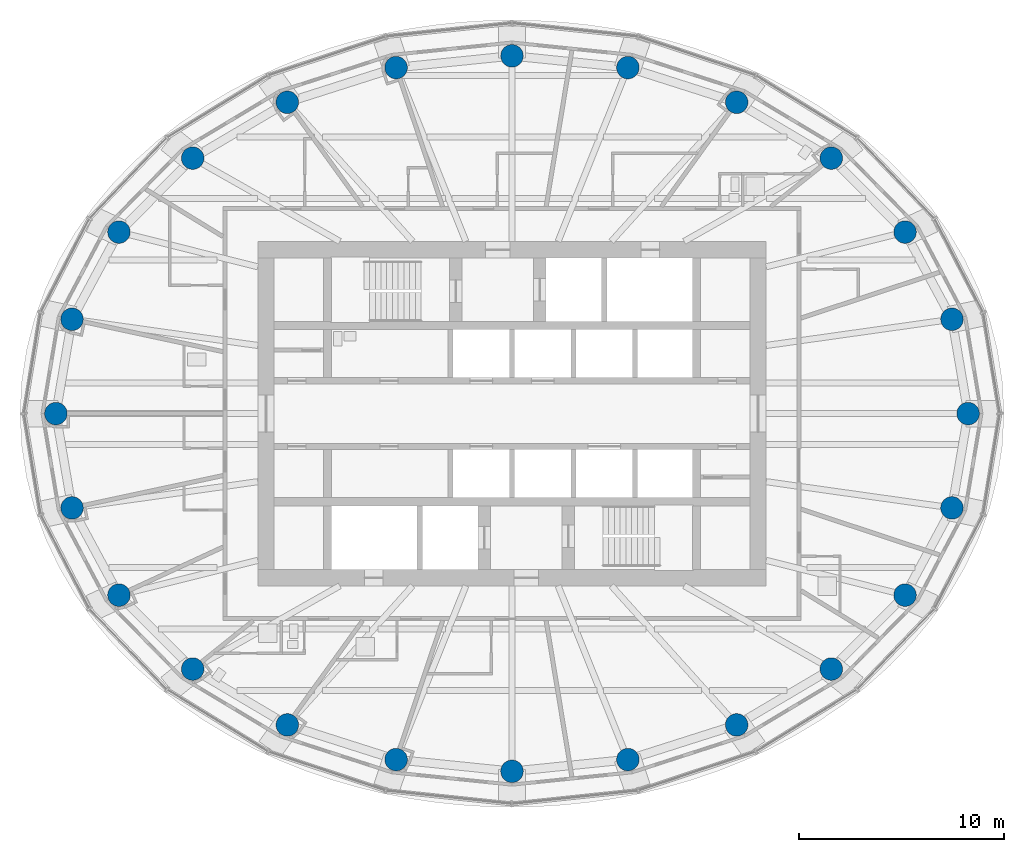
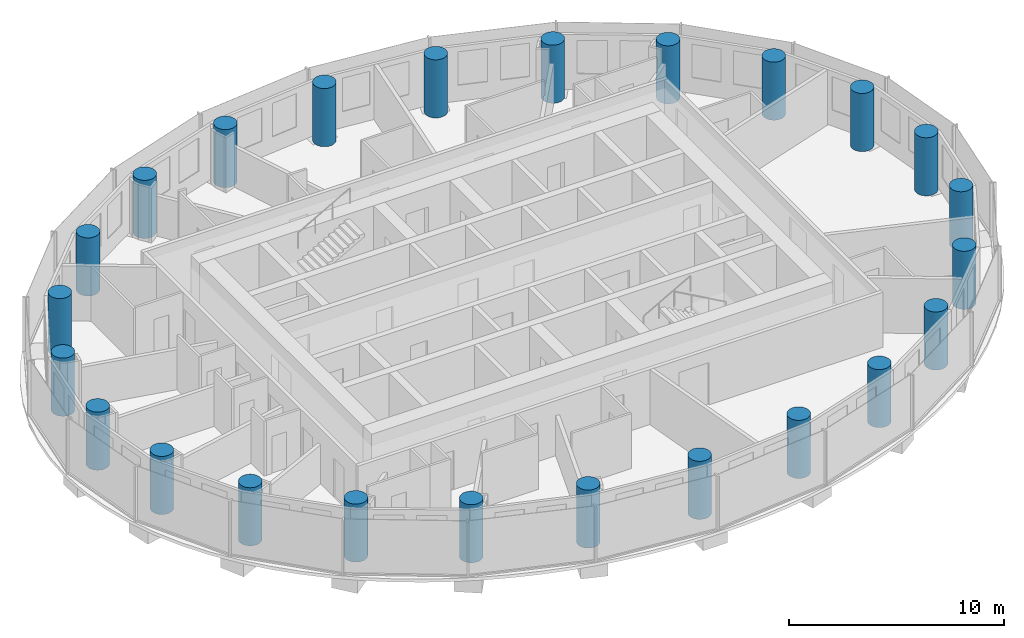
# One storey, part 1 of 16: 24 columns.
"""IFC4 building model written with IfcOpenShell, lengths in metres."""

from ifc_helpers import new_model, si_unit, direction, frame, origin, origin_2d, place, context, subcontext, project, spatial, circle, extrude, material, material_profile, profile_set, type_object, element, save


model = new_model("IFC4")

# Units and contexts
model_context = context("Model", 3, precision=1e-05, world=origin(), true_north=direction((0.0, 1.0)))
body_context = subcontext(model_context, "Body", "Model", "MODEL_VIEW")
ifc_project = project(units=[si_unit("LENGTHUNIT", "METRE"), si_unit("AREAUNIT", "SQUARE_METRE"), si_unit("VOLUMEUNIT", "CUBIC_METRE"), si_unit("PLANEANGLEUNIT", "RADIAN"), si_unit("MASSUNIT", "GRAM", prefix="KILO")], contexts=[model_context])

# Site, building, storey
site_placement = place(None, origin())
site = spatial("IfcSite", under=ifc_project, at=site_placement, CompositionType="ELEMENT")
building_placement = place(site_placement, origin())
building = spatial("IfcBuilding", under=site, at=building_placement, Name="Hankou Lantern Tower", CompositionType="ELEMENT")
storey_placement = place(building_placement, frame((0.0, 0.0, 143.39990234375)))
storey = spatial("IfcBuildingStorey", under=building, at=storey_placement, Name="L37", CompositionType="ELEMENT", Elevation=143.39990234375)

# Columns
ifc_material = material(Name="Concrete C50", Category="concrete")
ifc_material_profile = material_profile(ifc_material, circle(Radius=0.550048828125, at=origin_2d()), Name="RC D1100")
ifc_profile_set = profile_set([ifc_material_profile], Name="Concrete C50")
column_type = type_object("IfcColumnType", Name="TC4 PERIMETER COLUMN RC D1100", PredefinedType="COLUMN", material=ifc_profile_set)
for number, where, z_axis, x_axis, name in (
    (1, (22.25, 0.0, 0.0), (0.0, 0.0, 1.0), (1.0, 0.0, 0.0), "Column R01 L37"),
    (2, (21.462646484375, 4.600830078125, 0.0), (0.0, 0.0, 1.0), (1.0, 0.0, 0.0), "Column R02 L37"),
    (3, (19.172119140625, 8.855224609375, 0.0), (0.0, 0.0, 1.0), (1.0, 0.0, 0.0), "Column R03 L37"),
    (4, (15.576171875, 12.4609375, 0.0), (0.0, 0.0, 1.0), (1.0, 0.0, 0.0), "Column R04 L37"),
    (5, (10.959716796875, 15.186279296875, 0.0), (0.0, 0.0, 1.0), (1.0, 0.0, 0.0), "Column R05 L37"),
    (6, (5.65283203125, 16.87744140625, 0.0), (0.0, 0.0, 1.0), (1.0, 0.0, 0.0), "Column R06 L37"),
    (7, (0.0, 17.449951171875, 0.0), (0.0, 0.0, 1.0), (1.0, 0.0, 0.0), "Column R07 L37"),
    (8, (-5.65283203125, 16.87744140625, 0.0), (0.0, 0.0, 1.0), (1.0, 0.0, 0.0), "Column R08 L37"),
    (9, (-10.959716796875, 15.186279296875, 0.0), (0.0, 0.0, 1.0), (1.0, 0.0, 0.0), "Column R09 L37"),
    (10, (-15.576171875, 12.4609375, 0.0), (0.0, 0.0, 1.0), (1.0, 0.0, 0.0), "Column R10 L37"),
    (11, (-19.172119140625, 8.855224609375, 0.0), (0.0, 0.0, 1.0), (1.0, 0.0, 0.0), "Column R11 L37"),
    (12, (-21.462646484375, 4.600830078125, 0.0), (0.0, 0.0, 1.0), (1.0, 0.0, 0.0), "Column R12 L37"),
    (13, (-22.25, 0.0, 0.0), (0.0, 0.0, 1.0), (1.0, 0.0, 0.0), "Column R13 L37"),
    (14, (-21.462646484375, -4.600830078125, 0.0), (0.0, 0.0, 1.0), (1.0, 0.0, 0.0), "Column R14 L37"),
    (15, (-19.172119140625, -8.855224609375, 0.0), (0.0, 0.0, 1.0), (1.0, 0.0, 0.0), "Column R15 L37"),
    (16, (-15.576171875, -12.4609375, 0.0), (0.0, 0.0, 1.0), (1.0, 0.0, 0.0), "Column R16 L37"),
    (17, (-10.959716796875, -15.186279296875, 0.0), (0.0, 0.0, 1.0), (1.0, 0.0, 0.0), "Column R17 L37"),
    (18, (-5.65283203125, -16.87744140625, 0.0), (0.0, 0.0, 1.0), (1.0, 0.0, 0.0), "Column R18 L37"),
    (19, (0.0, -17.449951171875, 0.0), (0.0, 0.0, 1.0), (1.0, 0.0, 0.0), "Column R19 L37"),
    (20, (5.65283203125, -16.87744140625, 0.0), (0.0, 0.0, 1.0), (1.0, 0.0, 0.0), "Column R20 L37"),
    (21, (10.959716796875, -15.186279296875, 0.0), (0.0, 0.0, 1.0), (1.0, 0.0, 0.0), "Column R21 L37"),
    (22, (15.576171875, -12.4609375, 0.0), (0.0, 0.0, 1.0), (1.0, 0.0, 0.0), "Column R22 L37"),
    (23, (19.172119140625, -8.855224609375, 0.0), (0.0, 0.0, 1.0), (1.0, 0.0, 0.0), "Column R23 L37"),
    (24, (21.462646484375, -4.600830078125, 0.0), (0.0, 0.0, 1.0), (1.0, 0.0, 0.0), "Column R24 L37"),
):
    element("IfcColumn", number, at=place(storey_placement, frame(where, z_axis=z_axis, x_axis=x_axis)), inside=storey, type_object=column_type, Name=name, PredefinedType="COLUMN", context=body_context, shape_type="SweptSolid", body=[
        extrude(circle(Radius=0.550048828125, at=origin_2d()), origin(), (0.0, 0.0, 1.0), 3.300048828125),
    ])

save(model, "model.ifc")
